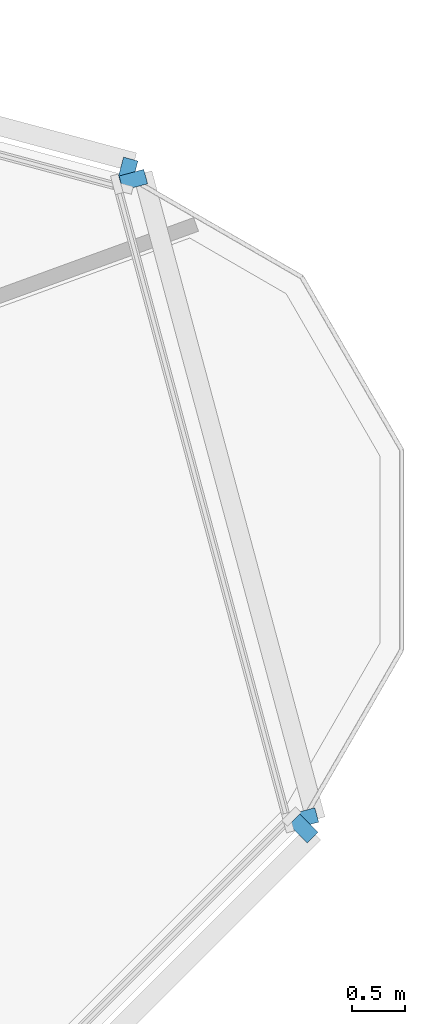
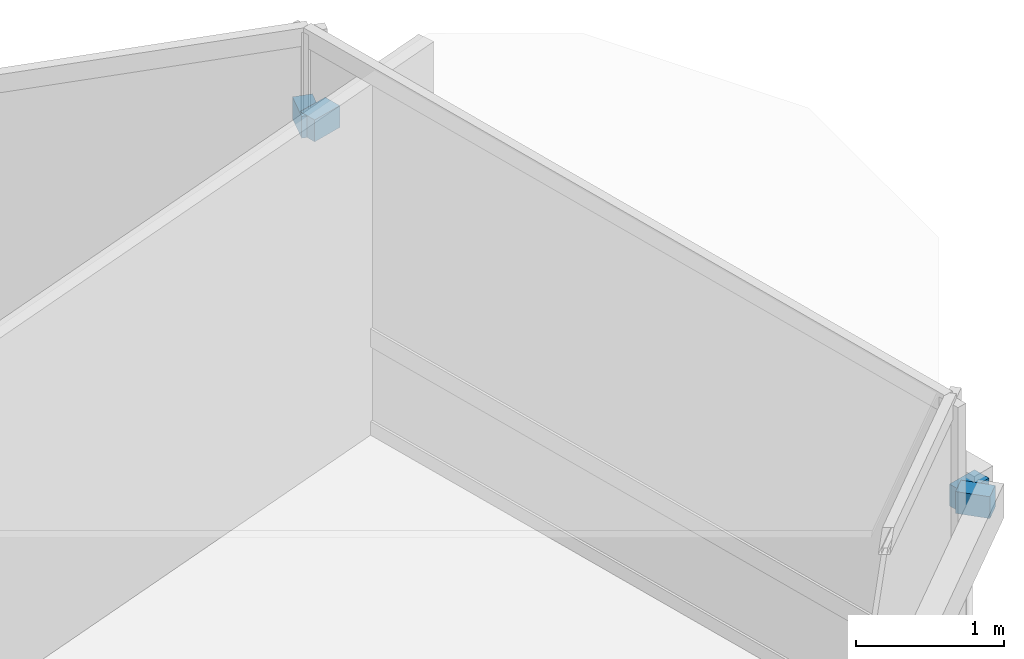
# One storey, part 10 of 13: 4 discrete accessories.
"""IFC4 building model written with IfcOpenShell, lengths in metres."""

from ifc_helpers import new_model, si_unit, direction, frame, origin, origin_2d, place, context, subcontext, project, spatial, rectangle, extrude, material, type_object, element, save


model = new_model("IFC4")

# Units and contexts
model_context = context("Model", 3, precision=1e-05, world=origin(), true_north=direction((0.0, 1.0)))
body_context = subcontext(model_context, "Body", "Model", "MODEL_VIEW")
ifc_project = project(units=[si_unit("LENGTHUNIT", "METRE"), si_unit("AREAUNIT", "SQUARE_METRE"), si_unit("VOLUMEUNIT", "CUBIC_METRE"), si_unit("PLANEANGLEUNIT", "RADIAN"), si_unit("MASSUNIT", "GRAM", prefix="KILO")], contexts=[model_context])

# Site, building, storey
site_placement = place(None, origin())
site = spatial("IfcSite", under=ifc_project, at=site_placement, CompositionType="ELEMENT")
building_placement = place(site_placement, origin())
building = spatial("IfcBuilding", under=site, at=building_placement, Name="Terralouvre Media Tower", CompositionType="ELEMENT")
storey_placement = place(building_placement, frame((0.0, 0.0, 199.0)))
storey = spatial("IfcBuildingStorey", under=building, at=storey_placement, Name="L51", CompositionType="ELEMENT", Elevation=199.0)

# Discrete accessories
ifc_material = material(Name="Anodised extruded aluminium 6063-T6", Category="aluminium")
discrete_accessory_type = type_object("IfcDiscreteAccessoryType", Name="Mullion Stand-Off Baguette Fixing Bracket BK-01", PredefinedType="BRACKET", material=ifc_material)
for number, where, z_axis, x_axis, name in (
    (1, (28.41552734375, 4.31298828125, 2.07421875), (0.0, 0.0, 1.0), (0.707106781187, 0.707106781187, 0.0), "CW-L51-F0 Baguette Outrigger Bracket 1.06"),
    (2, (26.764892578125, 10.472412109375, 2.07421875), (0.0, 0.0, 1.0), (-0.96592582942, 0.25881903342, 0.0), "CW-L51-F1 Baguette Outrigger Bracket 1.01"),
    (3, (28.42333984375, 4.4091796875, 2.07421875), (0.0, 0.0, 1.0), (-0.258818728144, 0.965925911218, 0.0), "CW-L51-C1 Baguette Outrigger Bracket 1.01"),
    (4, (26.81982421875, 10.39306640625, 2.07421875), (0.0, 0.0, 1.0), (-0.258818728144, 0.965925911218, 0.0), "CW-L51-C1 Baguette Outrigger Bracket 1.02"),
):
    element("IfcDiscreteAccessory", number, at=place(storey_placement, frame(where, z_axis=z_axis, x_axis=x_axis)), inside=storey, type_object=discrete_accessory_type, Name=name, PredefinedType="BRACKET", context=body_context, shape_type="SweptSolid", body=[
        extrude(rectangle(XDim=0.139892578125, YDim=0.239990234375, at=origin_2d()), origin(), (0.0, 0.0, 1.0), 0.179931640625),
    ])

save(model, "model.ifc")
